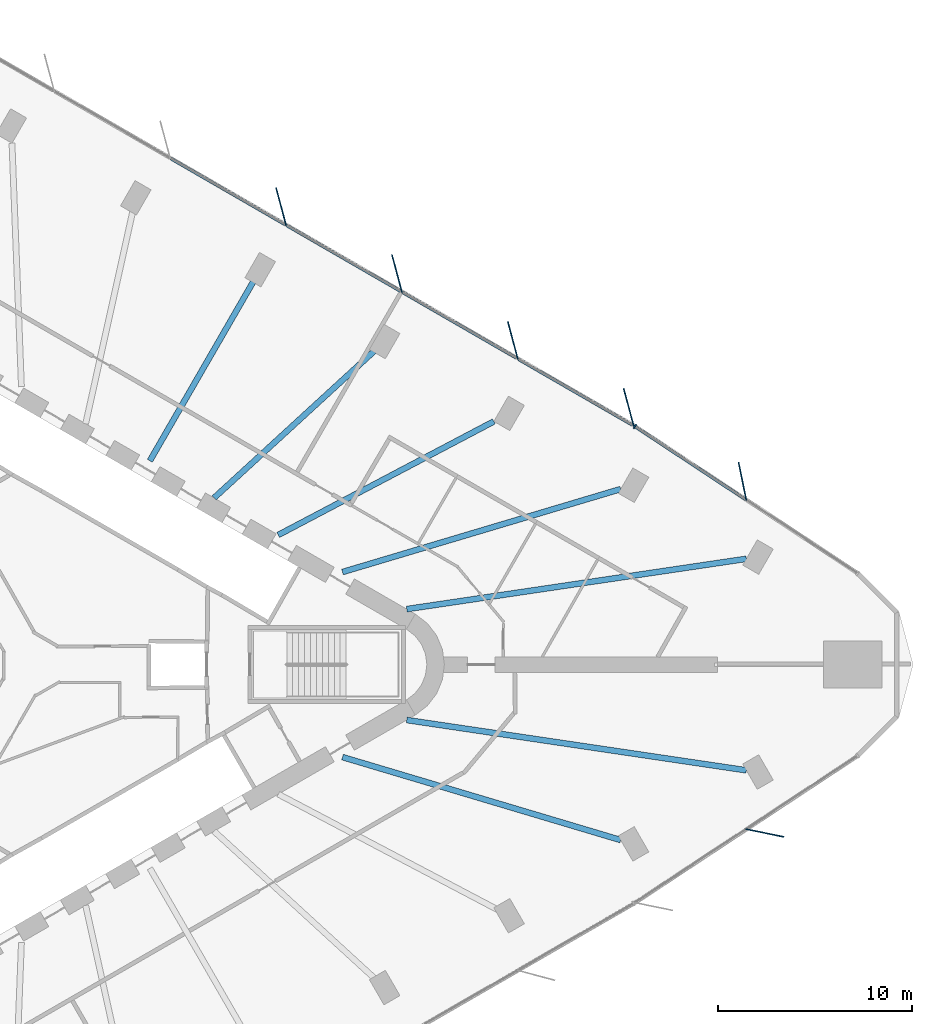
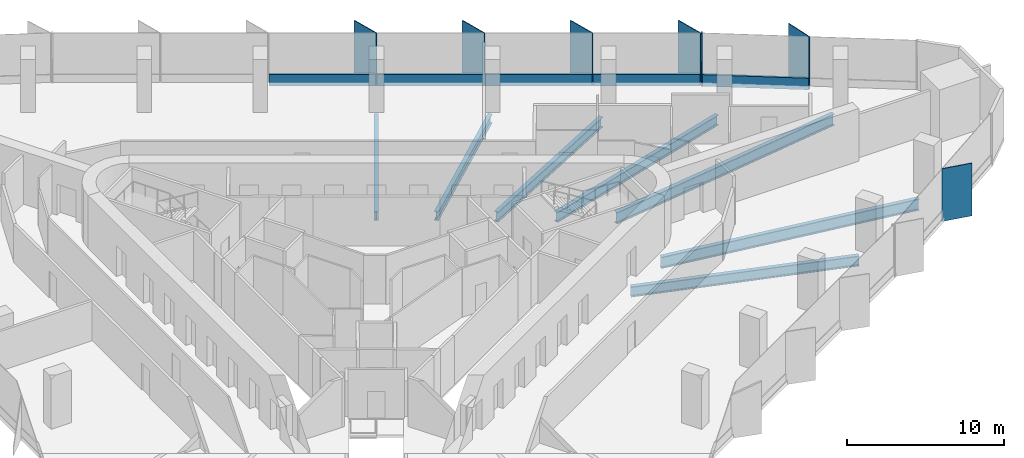
# One storey, part 5 of 14: 12 members, 7 beams, 3 elements without a shape of their own.
"""IFC4 building model written with IfcOpenShell, lengths in metres."""

from ifc_helpers import new_model, si_unit, direction, frame, origin, origin_2d, place, context, subcontext, project, spatial, rectangle, i_section, extrude, material, material_profile, profile_set, type_object, element, aggregate, save


model = new_model("IFC4")

# Units and contexts
model_context = context("Model", 3, precision=1e-05, world=origin(), true_north=direction((0.0, 1.0)))
body_context = subcontext(model_context, "Body", "Model", "MODEL_VIEW")
ifc_project = project(units=[si_unit("LENGTHUNIT", "METRE"), si_unit("AREAUNIT", "SQUARE_METRE"), si_unit("VOLUMEUNIT", "CUBIC_METRE"), si_unit("PLANEANGLEUNIT", "RADIAN"), si_unit("MASSUNIT", "GRAM", prefix="KILO")], contexts=[model_context])

# Site, building, storey
site_placement = place(None, origin())
site = spatial("IfcSite", under=ifc_project, at=site_placement, CompositionType="ELEMENT")
building_placement = place(site_placement, origin())
building = spatial("IfcBuilding", under=site, at=building_placement, Name="Tanit Gate Tower", CompositionType="ELEMENT")
storey_placement = place(building_placement, frame((0.0, 0.0, 45.5)))
storey = spatial("IfcBuildingStorey", under=building, at=storey_placement, Name="L07", CompositionType="ELEMENT", Elevation=45.5)

# Curtain wall, member
ifc_material_1 = material(Name="Aluminium bronze anodised and glass", Category="aluminium")
curtain_wall_type = type_object("IfcCurtainWallType", Name="Curtain wall typical low", PredefinedType="NOTDEFINED", material=ifc_material_1)
curtain_wall_1_placement = place(storey_placement, origin())
curtain_wall_1 = element("IfcCurtainWall", 1, at=curtain_wall_1_placement, inside=storey, type_object=curtain_wall_type, Name="Curtain wall L07 NE1", PredefinedType="NOTDEFINED")
ifc_material_2 = material(Name="Aluminium bronze anodised", Category="aluminium")
ifc_material_profile_1 = material_profile(ifc_material_2, rectangle(XDim=2.0, YDim=0.055908203125, at=origin_2d()), Name="56x2000 bronze fin mullion")
ifc_profile_set_1 = profile_set([ifc_material_profile_1], Name="Aluminium bronze anodised")
member_type_1 = type_object("IfcMemberType", Name="FIN MULLION 56x2000 bronze", PredefinedType="MULLION", material=ifc_profile_set_1)
member_1_placement = place(storey_placement, frame((36.531982421875, 9.425048828125, -0.300048828125), z_axis=(0.0, 0.0, 1.0), x_axis=(0.200582168819, -0.979676882218, 0.0)))
member_1 = element("IfcMember", 2, at=member_1_placement, type_object=member_type_1, Name="Fin mullion L07 NE1.2", PredefinedType="MULLION", context=body_context, shape_type="SweptSolid", body=[
    extrude(rectangle(XDim=2.0, YDim=0.055908203125, at=origin_2d()), origin(), (0.0, 0.0, 1.0), 4.10009765625),
])

# Curtain wall, members
curtain_wall_2_placement = place(storey_placement, origin())
curtain_wall_2 = element("IfcCurtainWall", 3, at=curtain_wall_2_placement, inside=storey, type_object=curtain_wall_type, Name="Curtain wall L07 NE2", PredefinedType="NOTDEFINED")
member_2_placement = place(storey_placement, frame((30.68115234375, 13.233154296875, -0.300048828125), z_axis=(0.0, 0.0, 1.0), x_axis=(0.258886020591, -0.965907877772, 0.0)))
member_2 = element("IfcMember", 4, at=member_2_placement, type_object=member_type_1, Name="Fin mullion L07 NE2.1", PredefinedType="MULLION", context=body_context, shape_type="SweptSolid", body=[
    extrude(rectangle(XDim=2.0, YDim=0.055908203125, at=origin_2d()), origin(), (0.0, 0.0, 1.0), 4.10009765625),
])
member_3_placement = place(storey_placement, frame((24.72119140625, 16.673583984375, -0.300048828125), z_axis=(0.0, 0.0, 1.0), x_axis=(0.258886020591, -0.965907877772, 0.0)))
member_3 = element("IfcMember", 5, at=member_3_placement, type_object=member_type_1, Name="Fin mullion L07 NE2.2", PredefinedType="MULLION", context=body_context, shape_type="SweptSolid", body=[
    extrude(rectangle(XDim=2.0, YDim=0.055908203125, at=origin_2d()), origin(), (0.0, 0.0, 1.0), 4.10009765625),
])
member_4_placement = place(storey_placement, frame((18.76123046875, 20.114013671875, -0.300048828125), z_axis=(0.0, 0.0, 1.0), x_axis=(0.258886020591, -0.965907877772, 0.0)))
member_4 = element("IfcMember", 6, at=member_4_placement, type_object=member_type_1, Name="Fin mullion L07 NE2.3", PredefinedType="MULLION", context=body_context, shape_type="SweptSolid", body=[
    extrude(rectangle(XDim=2.0, YDim=0.055908203125, at=origin_2d()), origin(), (0.0, 0.0, 1.0), 4.10009765625),
])
member_5_placement = place(storey_placement, frame((12.80126953125, 23.5546875, -0.300048828125), z_axis=(0.0, 0.0, 1.0), x_axis=(0.258886020591, -0.965907877772, 0.0)))
member_5 = element("IfcMember", 7, at=member_5_placement, type_object=member_type_1, Name="Fin mullion L07 NE2.4", PredefinedType="MULLION", context=body_context, shape_type="SweptSolid", body=[
    extrude(rectangle(XDim=2.0, YDim=0.055908203125, at=origin_2d()), origin(), (0.0, 0.0, 1.0), 4.10009765625),
])

# Curtain wall, member
curtain_wall_3_placement = place(storey_placement, origin())
curtain_wall_3 = element("IfcCurtainWall", 8, at=curtain_wall_3_placement, inside=storey, type_object=curtain_wall_type, Name="Curtain wall L07 SE3", PredefinedType="NOTDEFINED")
member_6_placement = place(storey_placement, frame((37.684814453125, -8.66259765625, -0.300048828125), z_axis=(0.0, 0.0, 1.0), x_axis=(-0.979635285566, 0.200785226732, 0.0)))
member_6 = element("IfcMember", 9, at=member_6_placement, type_object=member_type_1, Name="Fin mullion L07 SE3.2", PredefinedType="MULLION", context=body_context, shape_type="SweptSolid", body=[
    extrude(rectangle(XDim=2.0, YDim=0.055908203125, at=origin_2d()), origin(), (0.0, 0.0, 1.0), 4.10009765625),
])
aggregate(curtain_wall_3, [member_6])

# Member
ifc_material_3 = material(Name="Aluminium bronze anodised", Category="aluminium")
ifc_material_profile_2 = material_profile(ifc_material_3, rectangle(XDim=0.239990234375, YDim=0.080078125, at=origin_2d()), Name="80x240 bronze mullion")
ifc_profile_set_2 = profile_set([ifc_material_profile_2], Name="Aluminium bronze anodised")
member_type_2 = type_object("IfcMemberType", Name="Mullion 80x240 typical low", PredefinedType="MULLION", material=ifc_profile_set_2)
member_7_placement = place(storey_placement, frame((31.002197265625, 12.2470703125, -0.300048828125), z_axis=(0.0, 0.0, 1.0), x_axis=(-0.550903155031, -0.834569178545, 0.0)))
member_7 = element("IfcMember", 10, at=member_7_placement, type_object=member_type_2, Name="Mullion L07 NE1.3", PredefinedType="MULLION", context=body_context, shape_type="SweptSolid", body=[
    extrude(rectangle(XDim=0.239990234375, YDim=0.080078125, at=origin_2d()), origin(), (0.0, 0.0, 1.0), 4.10009765625),
])

# Beams
ifc_material_4 = material(Name="Steel S355", Category="steel")
ifc_material_profile_3 = material_profile(ifc_material_4, i_section(OverallWidth=0.300048828125, OverallDepth=0.68994140625, WebThickness=0.014404296875, FlangeThickness=0.027099609375, FilletRadius=0.027099609375, at=origin_2d()), Name="HEA 700")
ifc_profile_set_3 = profile_set([ifc_material_profile_3], Name="Steel S355")
beam_type_1 = type_object("IfcBeamType", Name="RADIAL GIRDER HEA 700 S355", PredefinedType="BEAM", material=ifc_profile_set_3)
beam_1_placement = place(storey_placement, frame((17.780029296875, 16.296630859375, -0.64501953125), z_axis=(-0.73718517135, -0.675690774794, 0.0), x_axis=(0.675690774794, -0.73718517135, 0.0)))
element("IfcBeam", 11, at=beam_1_placement, inside=storey, type_object=beam_type_1, Name="RADIAL GIRDER", PredefinedType="BEAM", context=body_context, shape_type="SweptSolid", body=[
    extrude(i_section(OverallWidth=0.300048828125, OverallDepth=0.68994140625, WebThickness=0.014404296875, FlangeThickness=0.027099609375, FilletRadius=0.027099609375, at=origin_2d()), origin(), (0.0, 0.0, 1.0), 11.429931640625),
])
beam_2_placement = place(storey_placement, frame((11.501708984375, 19.921630859375, -0.64501953125), z_axis=(-0.499997733992, -0.866026712061, 0.0), x_axis=(0.866026712061, -0.499997733992, 0.0)))
element("IfcBeam", 12, at=beam_2_placement, inside=storey, type_object=beam_type_1, Name="RADIAL GIRDER", PredefinedType="BEAM", context=body_context, shape_type="SweptSolid", body=[
    extrude(i_section(OverallWidth=0.300048828125, OverallDepth=0.68994140625, WebThickness=0.014404296875, FlangeThickness=0.027099609375, FilletRadius=0.027099609375, at=origin_2d()), origin(), (0.0, 0.0, 1.0), 10.9013671875),
])
ifc_material_5 = material(Name="Steel S355", Category="steel")
ifc_material_profile_4 = material_profile(ifc_material_5, i_section(OverallWidth=0.300048828125, OverallDepth=0.7900390625, WebThickness=0.014892578125, FlangeThickness=0.028076171875, FilletRadius=0.030029296875, at=origin_2d()), Name="HEA 800")
ifc_profile_set_4 = profile_set([ifc_material_profile_4], Name="Steel S355")
beam_type_2 = type_object("IfcBeamType", Name="RADIAL GIRDER HEA 800 S355", PredefinedType="BEAM", material=ifc_profile_set_4)
for number, where, z_axis, x_axis, name in (
    (13, (30.267578125, -9.026611328125, -0.695068359375), (-0.958292632116, 0.285788787801, 0.0), (-0.285788787801, -0.958292632116, 0.0), "RADIAL GIRDER"),
    (14, (30.267578125, 9.026611328125, -0.695068359375), (-0.958292632116, -0.285788787801, 0.0), (0.285788787801, -0.958292632116, 0.0), "RADIAL GIRDER"),
):
    element("IfcBeam", number, at=place(storey_placement, frame(where, z_axis=z_axis, x_axis=x_axis)), inside=storey, type_object=beam_type_2, Name=name, PredefinedType="BEAM", context=body_context, shape_type="SweptSolid", body=[
        extrude(i_section(OverallWidth=0.300048828125, OverallDepth=0.7900390625, WebThickness=0.014892578125, FlangeThickness=0.028076171875, FilletRadius=0.030029296875, at=origin_2d()), origin(), (0.0, 0.0, 1.0), 14.93017578125),
    ])
beam_3_placement = place(storey_placement, frame((23.74462890625, 12.506591796875, -0.695068359375), z_axis=(-0.884770690276, -0.466026636179, 0.0), x_axis=(0.466026636179, -0.884770690276, 0.0)))
element("IfcBeam", 15, at=beam_3_placement, inside=storey, type_object=beam_type_2, Name="RADIAL GIRDER", PredefinedType="BEAM", context=body_context, shape_type="SweptSolid", body=[
    extrude(i_section(OverallWidth=0.300048828125, OverallDepth=0.7900390625, WebThickness=0.014892578125, FlangeThickness=0.028076171875, FilletRadius=0.030029296875, at=origin_2d()), origin(), (0.0, 0.0, 1.0), 12.53173828125),
])
ifc_material_6 = material(Name="Steel S355", Category="steel")
ifc_material_profile_5 = material_profile(ifc_material_6, i_section(OverallWidth=0.300048828125, OverallDepth=0.889892578125, WebThickness=0.01611328125, FlangeThickness=0.030029296875, FilletRadius=0.030029296875, at=origin_2d()), Name="HEA 900")
ifc_profile_set_5 = profile_set([ifc_material_profile_5], Name="Steel S355")
beam_type_3 = type_object("IfcBeamType", Name="RADIAL GIRDER HEA 900 S355", PredefinedType="BEAM", material=ifc_profile_set_5)
for number, where, z_axis, x_axis, name in (
    (16, (36.731689453125, -5.439697265625, -0.7451171875), (-0.98921177448, 0.146492543254, 0.0), (-0.146492543254, -0.98921177448, 0.0), "RADIAL GIRDER"),
    (17, (36.731689453125, 5.439697265625, -0.7451171875), (-0.98921177448, -0.146492543254, 0.0), (0.146492543254, -0.98921177448, 0.0), "RADIAL GIRDER"),
):
    element("IfcBeam", number, at=place(storey_placement, frame(where, z_axis=z_axis, x_axis=x_axis)), inside=storey, type_object=beam_type_3, Name=name, PredefinedType="BEAM", context=body_context, shape_type="SweptSolid", body=[
        extrude(i_section(OverallWidth=0.300048828125, OverallDepth=0.889892578125, WebThickness=0.01611328125, FlangeThickness=0.030029296875, FilletRadius=0.030029296875, at=origin_2d()), origin(), (0.0, 0.0, 1.0), 17.658935546875),
    ])

# Member
ifc_material_7 = material(Name="Aluminium bronze anodised", Category="aluminium")
ifc_material_profile_6 = material_profile(ifc_material_7, rectangle(XDim=0.159912109375, YDim=0.89990234375, at=origin_2d()), Name="160x900 bronze transom")
ifc_profile_set_6 = profile_set([ifc_material_profile_6], Name="Aluminium bronze anodised")
member_type_3 = type_object("IfcMemberType", Name="Transom 160x900 typical low", PredefinedType="USERDEFINED", material=ifc_profile_set_6)
member_8_placement = place(storey_placement, frame((36.694580078125, 8.489501953125, 0.14990234375), z_axis=(-0.834562062149, 0.550913935585, 0.0), x_axis=(-0.550913935585, -0.834562062149, 0.0)))
member_8 = element("IfcMember", 18, at=member_8_placement, type_object=member_type_3, Name="Transom L07 NE1.2", ObjectType="TRANSOM", PredefinedType="USERDEFINED", context=body_context, shape_type="SweptSolid", body=[
    extrude(rectangle(XDim=0.159912109375, YDim=0.89990234375, at=origin_2d()), origin(), (0.0, 0.0, 1.0), 6.78076171875),
])

aggregate(curtain_wall_1, [member_1, member_7, member_8])

member_9_placement = place(storey_placement, frame((30.899658203125, 12.30908203125, 0.14990234375), z_axis=(-0.866054693437, 0.499949265402, 0.0), x_axis=(-0.499949265402, -0.866054693437, 0.0)))
member_9 = element("IfcMember", 19, at=member_9_placement, type_object=member_type_3, Name="Transom L07 NE2.1", ObjectType="TRANSOM", PredefinedType="USERDEFINED", context=body_context, shape_type="SweptSolid", body=[
    extrude(rectangle(XDim=0.159912109375, YDim=0.89990234375, at=origin_2d()), origin(), (0.0, 0.0, 1.0), 6.802001953125),
])

member_10_placement = place(storey_placement, frame((24.939453125, 15.749755859375, 0.14990234375), z_axis=(-0.866061263272, 0.499937884402, 0.0), x_axis=(-0.499937884402, -0.866061263272, 0.0)))
member_10 = element("IfcMember", 20, at=member_10_placement, type_object=member_type_3, Name="Transom L07 NE2.2", ObjectType="TRANSOM", PredefinedType="USERDEFINED", context=body_context, shape_type="SweptSolid", body=[
    extrude(rectangle(XDim=0.159912109375, YDim=0.89990234375, at=origin_2d()), origin(), (0.0, 0.0, 1.0), 6.801513671875),
])

member_11_placement = place(storey_placement, frame((18.9794921875, 19.190185546875, 0.14990234375), z_axis=(-0.866061263272, 0.499937884402, 0.0), x_axis=(-0.499937884402, -0.866061263272, 0.0)))
member_11 = element("IfcMember", 21, at=member_11_placement, type_object=member_type_3, Name="Transom L07 NE2.3", ObjectType="TRANSOM", PredefinedType="USERDEFINED", context=body_context, shape_type="SweptSolid", body=[
    extrude(rectangle(XDim=0.159912109375, YDim=0.89990234375, at=origin_2d()), origin(), (0.0, 0.0, 1.0), 6.801513671875),
])

member_12_placement = place(storey_placement, frame((13.01953125, 22.630615234375, 0.14990234375), z_axis=(-0.866061263272, 0.499937884402, 0.0), x_axis=(-0.499937884402, -0.866061263272, 0.0)))
member_12 = element("IfcMember", 22, at=member_12_placement, type_object=member_type_3, Name="Transom L07 NE2.4", ObjectType="TRANSOM", PredefinedType="USERDEFINED", context=body_context, shape_type="SweptSolid", body=[
    extrude(rectangle(XDim=0.159912109375, YDim=0.89990234375, at=origin_2d()), origin(), (0.0, 0.0, 1.0), 6.801513671875),
])

aggregate(curtain_wall_2, [member_2, member_3, member_4, member_5, member_9, member_10, member_11, member_12])

save(model, "model.ifc")
